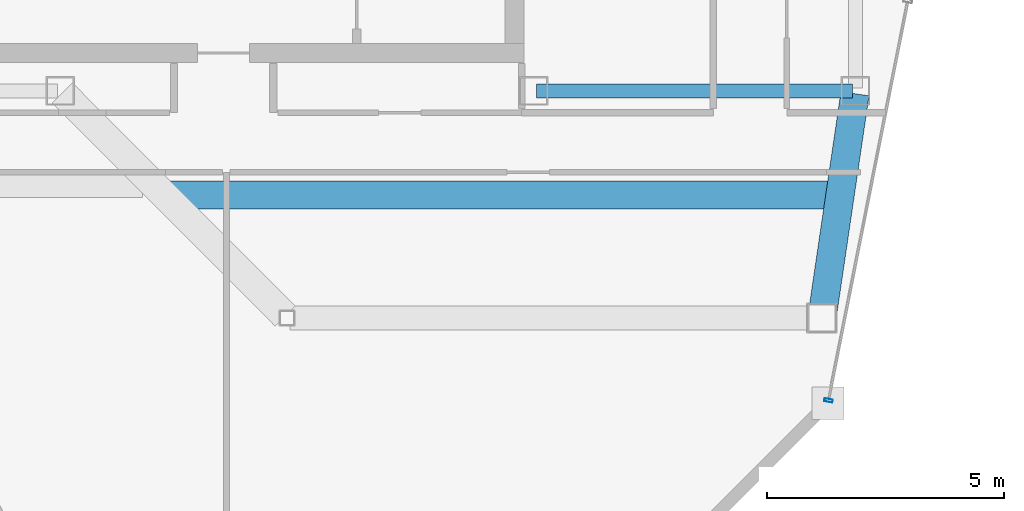
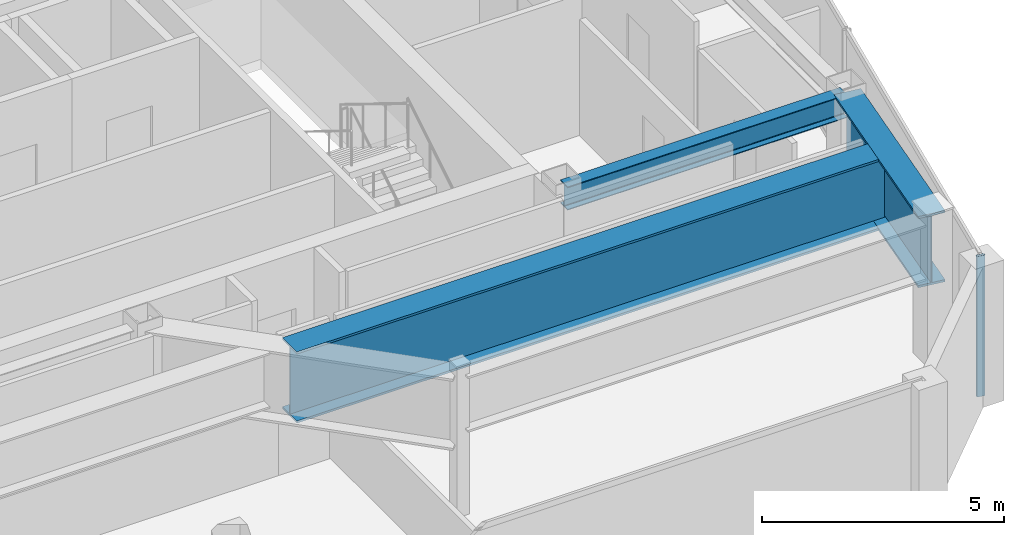
# One storey, part 14 of 24: 3 beams, 1 member, 1 element without a shape of its own.
"""IFC4 building model written with IfcOpenShell, lengths in metres."""

from ifc_helpers import new_model, si_unit, direction, frame, origin, origin_2d, place, context, subcontext, project, spatial, hollow_rectangle, i_section, extrude, material, material_profile, profile_set, type_object, element, aggregate, save


model = new_model("IFC4")

# Units and contexts
model_context = context("Model", 3, precision=1e-05, world=origin(), true_north=direction((0.0, 1.0)))
body_context = subcontext(model_context, "Body", "Model", "MODEL_VIEW")
ifc_project = project(units=[si_unit("LENGTHUNIT", "METRE"), si_unit("AREAUNIT", "SQUARE_METRE"), si_unit("VOLUMEUNIT", "CUBIC_METRE"), si_unit("PLANEANGLEUNIT", "RADIAN"), si_unit("MASSUNIT", "GRAM", prefix="KILO")], contexts=[model_context])

# Site, building, storey
site_placement = place(None, origin())
site = spatial("IfcSite", under=ifc_project, at=site_placement, CompositionType="ELEMENT")
building_placement = place(site_placement, origin())
building = spatial("IfcBuilding", under=site, at=building_placement, Name="Saevonmaru Cultural Tower", CompositionType="ELEMENT")
storey_placement = place(building_placement, frame((0.0, 0.0, 306.60009765625)))
storey = spatial("IfcBuildingStorey", under=building, at=storey_placement, Name="L73", CompositionType="ELEMENT", Elevation=306.60009765625)

# Beams
ifc_material_1 = material(Name="Steel SM355", Category="steel")
ifc_material_profile_1 = material_profile(ifc_material_1, i_section(OverallWidth=0.300048828125, OverallDepth=0.587890625, WebThickness=0.011962890625, FlangeThickness=0.02001953125, FilletRadius=0.02392578125, at=origin_2d()), Name="H-588x300x12x20")
ifc_profile_set_1 = profile_set([ifc_material_profile_1], Name="Steel SM355")
beam_type_1 = type_object("IfcBeamType", Name="BM-G-H588", PredefinedType="BEAM", material=ifc_profile_set_1)
beam_1_placement = place(storey_placement, frame((46.4599609375, 42.39990234375, 3.255859375), z_axis=(1.0, 0.0, 0.0), x_axis=(0.0, 1.0, 0.0)))
element("IfcBeam", 1, at=beam_1_placement, inside=storey, type_object=beam_type_1, Name="L73 Core South Girder 5", PredefinedType="BEAM", context=body_context, shape_type="SweptSolid", body=[
    extrude(i_section(OverallWidth=0.300048828125, OverallDepth=0.587890625, WebThickness=0.011962890625, FlangeThickness=0.02001953125, FilletRadius=0.02392578125, at=origin_2d()), origin(), (0.0, 0.0, 1.0), 6.679931640625),
])
ifc_material_2 = material(Name="Steel HSA600 (600 MPa)", Category="steel")
ifc_material_profile_2 = material_profile(ifc_material_2, i_section(OverallWidth=0.60009765625, OverallDepth=1.800048828125, WebThickness=0.028076171875, FlangeThickness=0.054931640625, at=origin_2d()), Name="PG-1800x600x28x55")
ifc_profile_set_2 = profile_set([ifc_material_profile_2], Name="Steel HSA600 (600 MPa)")
beam_type_2 = type_object("IfcBeamType", Name="BM-TG-PG1800", PredefinedType="BEAM", material=ifc_profile_set_2)
beam_2_placement = place(storey_placement, frame((38.63623046875, 40.199951171875, 2.64990234375), z_axis=(1.0, 0.0, 0.0), x_axis=(0.0, 1.0, 0.0)))
element("IfcBeam", 2, at=beam_2_placement, inside=storey, type_object=beam_type_2, Name="L73 Setback Transfer Plate Girder East", PredefinedType="BEAM", context=body_context, shape_type="SweptSolid", body=[
    extrude(i_section(OverallWidth=0.60009765625, OverallDepth=1.800048828125, WebThickness=0.028076171875, FlangeThickness=0.054931640625, at=origin_2d()), origin(), (0.0, 0.0, 1.0), 14.19921875),
])
ifc_material_profile_3 = material_profile(ifc_material_2, i_section(OverallWidth=0.60009765625, OverallDepth=1.800048828125, WebThickness=0.028076171875, FlangeThickness=0.054931640625, at=origin_2d()), Name="PG-1800x600x28x55")
ifc_profile_set_3 = profile_set([ifc_material_profile_3], Name="Steel HSA600 (600 MPa)")
beam_type_3 = type_object("IfcBeamType", Name="BM-TG-PG1800-EXT", PredefinedType="SPANDREL", material=ifc_profile_set_3)
beam_3_placement = place(storey_placement, frame((52.500732421875, 37.659423828125, 2.64990234375), z_axis=(0.145912860028, 0.989297446312, 0.0), x_axis=(-0.989297446312, 0.145912860028, 0.0)))
element("IfcBeam", 3, at=beam_3_placement, inside=storey, type_object=beam_type_3, Name="L73 East Splayed Spandrel 1", PredefinedType="SPANDREL", context=body_context, shape_type="SweptSolid", body=[
    extrude(i_section(OverallWidth=0.60009765625, OverallDepth=1.800048828125, WebThickness=0.028076171875, FlangeThickness=0.054931640625, at=origin_2d()), origin(), (0.0, 0.0, 1.0), 4.731689453125),
])

# Curtain wall, member
ifc_material_3 = material(Name="Satin Bronze Anodised Aluminium", Category="aluminium")
curtain_wall_type = type_object("IfcCurtainWallType", Name="CW-TYP-B", PredefinedType="NOTDEFINED", material=ifc_material_3)
curtain_wall_placement = place(storey_placement, origin())
curtain_wall = element("IfcCurtainWall", 4, at=curtain_wall_placement, inside=storey, type_object=curtain_wall_type, Name="L73 Unitised Curtain Wall E8", PredefinedType="NOTDEFINED")
ifc_material_profile_4 = material_profile(ifc_material_3, hollow_rectangle(XDim=0.06494140625, YDim=0.179931640625, WallThickness=0.00390625, at=origin_2d()), Name="ALU-MULL-180x65x4")
ifc_profile_set_4 = profile_set([ifc_material_profile_4], Name="Satin Bronze Anodised Aluminium")
member_type = type_object("IfcMemberType", Name="ML-CW-180x65", PredefinedType="MULLION", material=ifc_profile_set_4)
member_placement = place(storey_placement, frame((52.631591796875, 35.85888671875, 0.0), z_axis=(0.0, 0.0, 1.0), x_axis=(0.195005484813, 0.980802151758, 0.0)))
member = element("IfcMember", 5, at=member_placement, type_object=member_type, Name="CW-TW-L73-E8 mullion 1", PredefinedType="MULLION", context=body_context, shape_type="SweptSolid", body=[
    extrude(hollow_rectangle(XDim=0.06494140625, YDim=0.179931640625, WallThickness=0.00390625, at=origin_2d()), origin(), (0.0, 0.0, 1.0), 3.5498046875),
])
aggregate(curtain_wall, [member])

save(model, "model.ifc")
